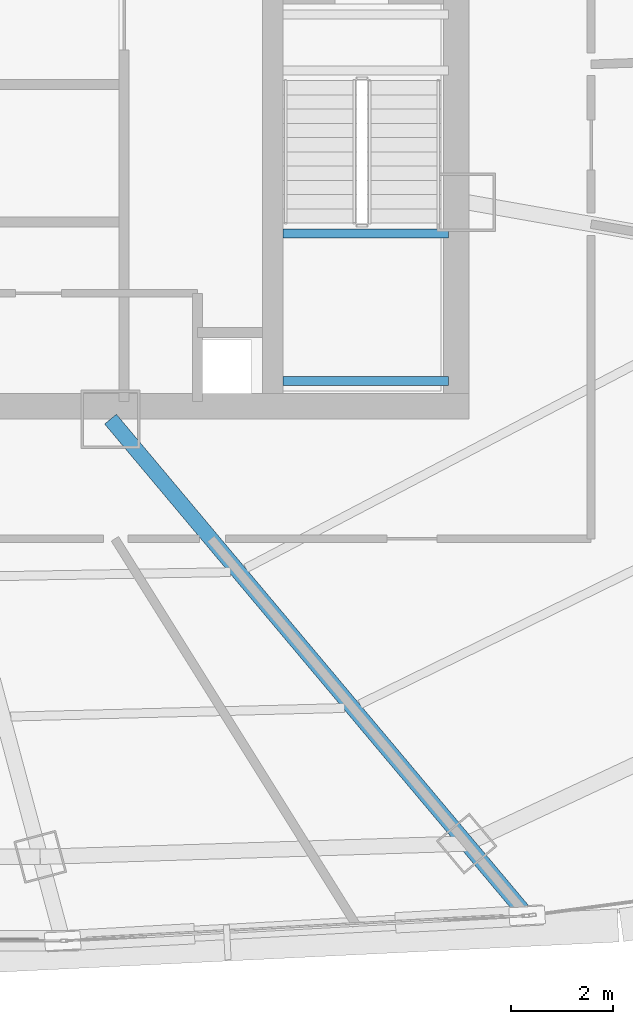
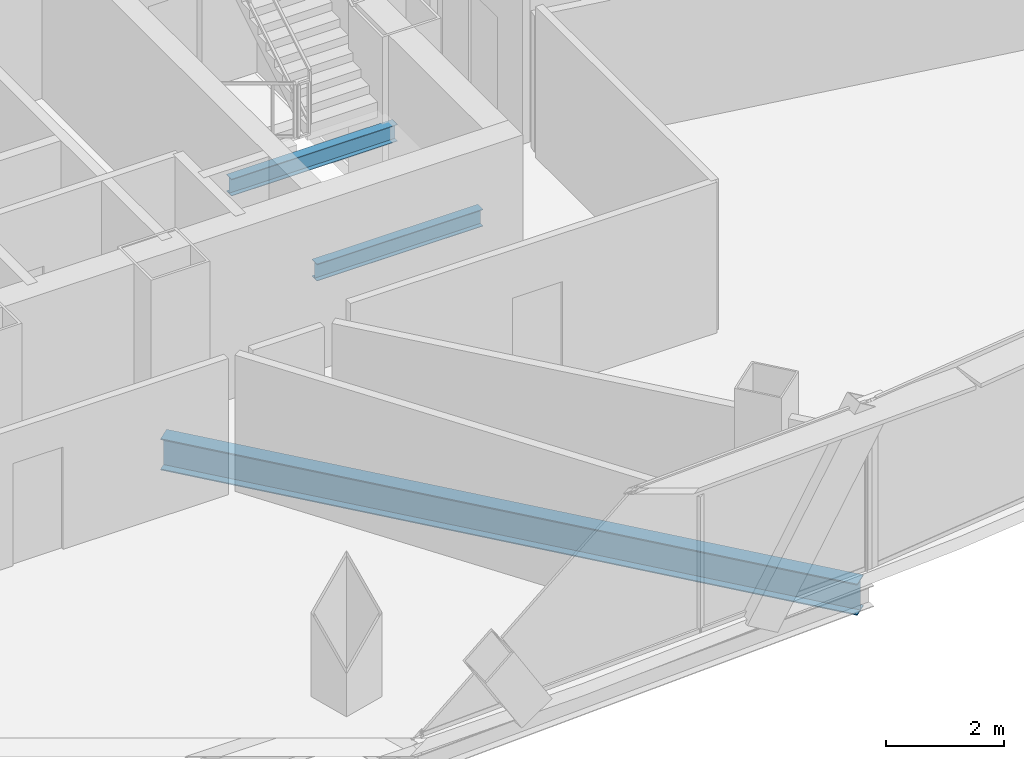
# One storey, part 13 of 37: 3 beams.
"""IFC4 building model written with IfcOpenShell, lengths in metres."""

from ifc_helpers import new_model, si_unit, direction, frame, origin, origin_2d, place, context, subcontext, project, spatial, i_section, extrude, source, transform, mapped, material, material_profile, profile_set, type_object, element, save


model = new_model("IFC4")

# Units and contexts
model_context = context("Model", 3, precision=1e-05, world=origin(), true_north=direction((0.0, 1.0)))
body_context = subcontext(model_context, "Body", "Model", "MODEL_VIEW")
ifc_project = project(units=[si_unit("LENGTHUNIT", "METRE"), si_unit("AREAUNIT", "SQUARE_METRE"), si_unit("VOLUMEUNIT", "CUBIC_METRE"), si_unit("PLANEANGLEUNIT", "RADIAN"), si_unit("MASSUNIT", "GRAM", prefix="KILO"), si_unit("THERMODYNAMICTEMPERATUREUNIT", "KELVIN"), si_unit("POWERUNIT", "WATT")], contexts=[model_context])

# Site, building, storey
site_placement = place(None, origin())
site = spatial("IfcSite", under=ifc_project, at=site_placement, CompositionType="ELEMENT")
building_placement = place(site_placement, origin())
building = spatial("IfcBuilding", under=site, at=building_placement, Name="Yunzhuo Pagoda Commons", CompositionType="ELEMENT")
storey_placement = place(building_placement, frame((0.0, 0.0, 251.989990234375)))
storey = spatial("IfcBuildingStorey", under=building, at=storey_placement, Name="L63", CompositionType="ELEMENT", Elevation=251.989990234375)

# Beams
ifc_material = material(Name="Structural steel Q355B", Category="steel")
ifc_material_profile_1 = material_profile(ifc_material, i_section(OverallWidth=0.175048828125, OverallDepth=0.35009765625, WebThickness=0.007080078125, FlangeThickness=0.010986328125, at=origin_2d()), Name="Structural steel Q355B")
ifc_profile_set_1 = profile_set([ifc_material_profile_1], Name="Structural steel Q355B")
beam_type_1 = type_object("IfcBeamType", Name="B-JS2 Joist HN 350x175x7x11", PredefinedType="JOIST", material=ifc_profile_set_1)
shared_shape_1 = source(origin(), body_context, "Body", "SweptSolid", [
    extrude(i_section(OverallWidth=0.175048828125, OverallDepth=0.35009765625, WebThickness=0.007080078125, FlangeThickness=0.010986328125, at=origin_2d()), origin(), (0.0, 0.0, 1.0), 3.25),
])
for number, where, z_axis, x_axis, name in (
    (1, (56.800048828125, 28.0, 1.490234375), (1.0, 0.0, 0.0), (0.0, 1.0, 0.0), "L63 ST2 landing support beam 69A"),
    (2, (56.800048828125, 30.89990234375, 1.490234375), (1.0, 0.0, 0.0), (0.0, 1.0, 0.0), "L63 ST2 landing support beam 69B"),
):
    element("IfcBeam", number, at=place(storey_placement, frame(where, z_axis=z_axis, x_axis=x_axis)), inside=storey, type_object=beam_type_1, Name=name, PredefinedType="JOIST", context=body_context, shape_type="MappedRepresentation", body=[
        mapped(shared_shape_1, transform((0.0, 0.0, 0.0), scale=1.0)),
    ])
ifc_material_profile_2 = material_profile(ifc_material, i_section(OverallWidth=0.300048828125, OverallDepth=0.64990234375, WebThickness=0.012939453125, FlangeThickness=0.02197265625, at=origin_2d()), Name="Structural steel Q355B")
ifc_profile_set_2 = profile_set([ifc_material_profile_2], Name="Structural steel Q355B")
beam_type_2 = type_object("IfcBeamType", Name="B-RG2 Beam HN 650x300x13x22", PredefinedType="BEAM", material=ifc_profile_set_2)
shared_shape_2 = source(origin(), body_context, "Body", "SweptSolid", [
    extrude(i_section(OverallWidth=0.300048828125, OverallDepth=0.64990234375, WebThickness=0.012939453125, FlangeThickness=0.02197265625, at=origin_2d()), origin(), (0.0, 0.0, 1.0), 12.575927734375),
])
beam_placement = place(storey_placement, frame((61.495849609375, 17.6162109375, -0.5849609375), z_axis=(-0.642789074184, 0.766043214258, 0.0), x_axis=(-0.766043214258, -0.642789074184, 0.0)))
element("IfcBeam", 3, at=beam_placement, inside=storey, type_object=beam_type_2, Name="L63 radial floor girder F1C4", PredefinedType="BEAM", context=body_context, shape_type="MappedRepresentation", body=[
    mapped(shared_shape_2, transform((0.0, 0.0, 0.0), scale=1.0)),
])

save(model, "model.ifc")
